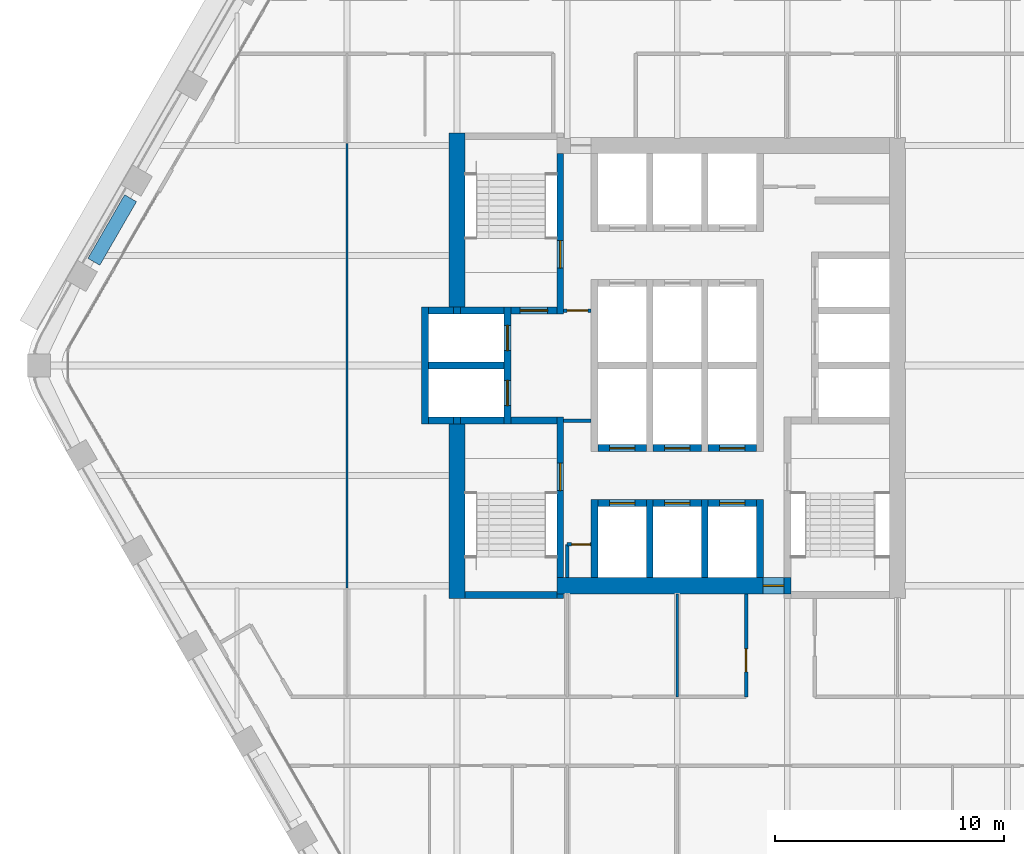
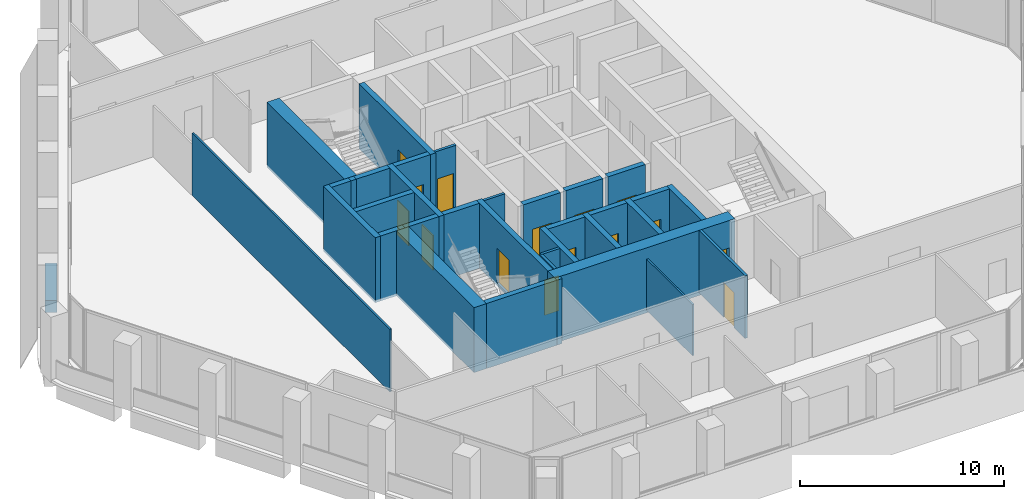
# One storey, part 9 of 15: 36 walls, 15 doors, 15 openings.
"""IFC4 building model written with IfcOpenShell, lengths in metres."""

from ifc_helpers import new_model, si_unit, direction, frame, frame_2d, origin, place, context, subcontext, project, spatial, rectangle, extrude, material, layer, layer_set, type_object, element, fill, save


model = new_model("IFC4")

# Units and contexts
model_context = context("Model", 3, precision=1e-05, world=origin(), true_north=direction((0.0, 1.0)))
body_context = subcontext(model_context, "Body", "Model", "MODEL_VIEW")
ifc_project = project(units=[si_unit("LENGTHUNIT", "METRE"), si_unit("AREAUNIT", "SQUARE_METRE"), si_unit("VOLUMEUNIT", "CUBIC_METRE"), si_unit("PLANEANGLEUNIT", "RADIAN"), si_unit("MASSUNIT", "GRAM", prefix="KILO")], contexts=[model_context])

# Site, building, storey
site_placement = place(None, origin())
site = spatial("IfcSite", under=ifc_project, at=site_placement, CompositionType="ELEMENT")
building_placement = place(site_placement, origin())
building = spatial("IfcBuilding", under=site, at=building_placement, Name="Kolab Exchange Tower", CompositionType="ELEMENT")
storey_placement = place(building_placement, frame((0.0, 0.0, 201.199951171875)))
storey = spatial("IfcBuildingStorey", under=building, at=storey_placement, Name="L43", CompositionType="ELEMENT", Elevation=201.199951171875)

# Wall, opening, door
ifc_material_1 = material(Name="Concrete C60/75", Category="concrete")
ifc_layer_1 = layer(ifc_material_1, 0.699951171875)
ifc_layer_set_1 = layer_set([ifc_layer_1], Name="Concrete C60/75")
wall_type_1 = type_object("IfcWallType", Name="CORE WALL 700 C60/75", PredefinedType="SHEAR", material=ifc_layer_set_1)
wall_1_placement = place(storey_placement, frame((-5.25, -9.60009765625, -0.14990234375), z_axis=(0.0, 0.0, 1.0), x_axis=(1.0, 0.0, 0.0)))
wall_1 = element("IfcWall", 1, at=wall_1_placement, inside=storey, type_object=wall_type_1, Name="wall/L43/core/002", PredefinedType="SHEAR", context=body_context, shape_type="SweptSolid", body=[
    extrude(rectangle(XDim=10.199951171875, YDim=0.699951171875, at=frame_2d((5.10009765625, 0.0))), origin(), (0.0, 0.0, 1.0), 3.89990234375),
])
opening_1_placement = place(wall_1_placement, frame((9.0, 0.0, 0.14990234375)))
opening_1 = element("IfcOpeningElement", 2, at=opening_1_placement, cuts=wall_1, Name="Opening D6-287", PredefinedType="OPENING", context=body_context, shape_type="SweptSolid", body=[
    extrude(rectangle(XDim=0.89990234375, YDim=2.10009765625, at=frame_2d((0.449951171875, 1.050048828125))), frame((0.0, 0.35986328125, 0.0), z_axis=(0.0, -1.0, 0.0), x_axis=(1.0, 0.0, 0.0)), (0.0, 0.0, 1.0), 0.719970703125),
])
ifc_material_2 = material(Name="Steel S235", Category="steel")
door_type_1 = type_object("IfcDoorType", Name="CORE DOOR 900 EI 120", OperationType="SINGLE_SWING_LEFT", PredefinedType="DOOR", material=ifc_material_2)
door_1_placement = place(opening_1_placement, origin())
door_1 = element("IfcDoor", 3, at=door_1_placement, inside=storey, type_object=door_type_1, Name="Core lobby door", OperationType="SINGLE_SWING_LEFT", OverallHeight=2.10009765625, OverallWidth=0.89990234375, PredefinedType="DOOR", context=body_context, shape_type="SweptSolid", body=[
    extrude(rectangle(XDim=0.89990234375, YDim=2.10009765625, at=frame_2d((0.449951171875, 1.050048828125))), frame((0.0, 0.02490234375, 0.0), z_axis=(0.0, -1.0, 0.0), x_axis=(1.0, 0.0, 0.0)), (0.0, 0.0, 1.0), 0.050048828125),
])
fill(opening_1, door_1)

# Walls
for number, where, z_axis, x_axis, name in (
    (4, (-9.60009765625, -10.14990234375, -0.14990234375), (0.0, 0.0, 1.0), (0.0, 1.0, 0.0), "wall/L43/core/034"),
    (5, (-9.60009765625, 2.550048828125, -0.14990234375), (0.0, 0.0, 1.0), (0.0, 1.0, 0.0), "wall/L43/core/037"),
):
    element("IfcWall", number, at=place(storey_placement, frame(where, z_axis=z_axis, x_axis=x_axis)), inside=storey, type_object=wall_type_1, Name=name, PredefinedType="SHEAR", context=body_context, shape_type="SweptSolid", body=[
        extrude(rectangle(XDim=7.599853515625, YDim=0.699951171875, at=frame_2d((3.7998046875, 0.0))), origin(), (0.0, 0.0, 1.0), 3.89990234375),
    ])

# Wall, opening, door
ifc_material_3 = material(Name="Concrete C50/60", Category="concrete")
ifc_layer_2 = layer(ifc_material_3, 0.300048828125)
ifc_layer_set_2 = layer_set([ifc_layer_2], Name="Concrete C50/60")
wall_type_2 = type_object("IfcWallType", Name="LIFT SHAFT WALL 300 C50/60", PredefinedType="STANDARD", material=ifc_layer_set_2)
wall_2_placement = place(storey_placement, frame((-3.449951171875, -6.0, -0.14990234375), z_axis=(0.0, 0.0, 1.0), x_axis=(1.0, 0.0, 0.0)))
wall_2 = element("IfcWall", 6, at=wall_2_placement, inside=storey, type_object=wall_type_2, Name="wall/L43/core/003", PredefinedType="STANDARD", context=body_context, shape_type="SweptSolid", body=[
    extrude(rectangle(XDim=2.099853515625, YDim=0.300048828125, at=frame_2d((1.0498046875, 0.0))), origin(), (0.0, 0.0, 1.0), 3.89990234375),
])
opening_2_placement = place(wall_2_placement, frame((0.5, 0.0, 0.14990234375)))
opening_2 = element("IfcOpeningElement", 7, at=opening_2_placement, cuts=wall_2, Name="Opening LD1-110", PredefinedType="OPENING", context=body_context, shape_type="SweptSolid", body=[
    extrude(rectangle(XDim=1.10009765625, YDim=2.10009765625, at=frame_2d((0.550048828125, 1.050048828125))), frame((0.0, 0.16015625, 0.0), z_axis=(0.0, -1.0, 0.0), x_axis=(1.0, 0.0, 0.0)), (0.0, 0.0, 1.0), 0.320068359375),
])
ifc_material_4 = material(Name="Stainless steel 316", Category="steel")
door_type_2 = type_object("IfcDoorType", Name="LANDING DOOR 1100 PASSENGER", OperationType="DOUBLE_DOOR_SLIDING", PredefinedType="DOOR", material=ifc_material_4)
door_2_placement = place(opening_2_placement, origin())
door_2 = element("IfcDoor", 8, at=door_2_placement, inside=storey, type_object=door_type_2, Name="Landing door HR10", OperationType="DOUBLE_DOOR_SLIDING", OverallHeight=2.10009765625, OverallWidth=1.10009765625, PredefinedType="DOOR", context=body_context, shape_type="SweptSolid", body=[
    extrude(rectangle(XDim=1.10009765625, YDim=2.10009765625, at=frame_2d((0.550048828125, 1.050048828125))), frame((0.0, 0.02490234375, 0.0), z_axis=(0.0, -1.0, 0.0), x_axis=(1.0, 0.0, 0.0)), (0.0, 0.0, 1.0), 0.050048828125),
])
fill(opening_2, door_2)

wall_3_placement = place(storey_placement, frame((-1.050048828125, -6.0, -0.14990234375), z_axis=(0.0, 0.0, 1.0), x_axis=(1.0, 0.0, 0.0)))
wall_3 = element("IfcWall", 9, at=wall_3_placement, inside=storey, type_object=wall_type_2, Name="wall/L43/core/004", PredefinedType="STANDARD", context=body_context, shape_type="SweptSolid", body=[
    extrude(rectangle(XDim=2.10009765625, YDim=0.300048828125, at=frame_2d((1.050048828125, 0.0))), origin(), (0.0, 0.0, 1.0), 3.89990234375),
])
opening_3_placement = place(wall_3_placement, frame((0.5, 0.0, 0.14990234375)))
opening_3 = element("IfcOpeningElement", 10, at=opening_3_placement, cuts=wall_3, Name="Opening LD1-111", PredefinedType="OPENING", context=body_context, shape_type="SweptSolid", body=[
    extrude(rectangle(XDim=1.10009765625, YDim=2.10009765625, at=frame_2d((0.550048828125, 1.050048828125))), frame((0.0, 0.16015625, 0.0), z_axis=(0.0, -1.0, 0.0), x_axis=(1.0, 0.0, 0.0)), (0.0, 0.0, 1.0), 0.320068359375),
])
door_3_placement = place(opening_3_placement, origin())
door_3 = element("IfcDoor", 11, at=door_3_placement, inside=storey, type_object=door_type_2, Name="Landing door HR11", OperationType="DOUBLE_DOOR_SLIDING", OverallHeight=2.10009765625, OverallWidth=1.10009765625, PredefinedType="DOOR", context=body_context, shape_type="SweptSolid", body=[
    extrude(rectangle(XDim=1.10009765625, YDim=2.10009765625, at=frame_2d((0.550048828125, 1.050048828125))), frame((0.0, 0.02490234375, 0.0), z_axis=(0.0, -1.0, 0.0), x_axis=(1.0, 0.0, 0.0)), (0.0, 0.0, 1.0), 0.050048828125),
])
fill(opening_3, door_3)

wall_4_placement = place(storey_placement, frame((1.35009765625, -6.0, -0.14990234375), z_axis=(0.0, 0.0, 1.0), x_axis=(1.0, 0.0, 0.0)))
wall_4 = element("IfcWall", 12, at=wall_4_placement, inside=storey, type_object=wall_type_2, Name="wall/L43/core/005", PredefinedType="STANDARD", context=body_context, shape_type="SweptSolid", body=[
    extrude(rectangle(XDim=2.099853515625, YDim=0.300048828125, at=frame_2d((1.0498046875, 0.0))), origin(), (0.0, 0.0, 1.0), 3.89990234375),
])
opening_4_placement = place(wall_4_placement, frame((0.5, 0.0, 0.14990234375)))
opening_4 = element("IfcOpeningElement", 13, at=opening_4_placement, cuts=wall_4, Name="Opening LD1-112", PredefinedType="OPENING", context=body_context, shape_type="SweptSolid", body=[
    extrude(rectangle(XDim=1.10009765625, YDim=2.10009765625, at=frame_2d((0.550048828125, 1.050048828125))), frame((0.0, 0.16015625, 0.0), z_axis=(0.0, -1.0, 0.0), x_axis=(1.0, 0.0, 0.0)), (0.0, 0.0, 1.0), 0.320068359375),
])
door_4_placement = place(opening_4_placement, origin())
door_4 = element("IfcDoor", 14, at=door_4_placement, inside=storey, type_object=door_type_2, Name="Landing door HR12", OperationType="DOUBLE_DOOR_SLIDING", OverallHeight=2.10009765625, OverallWidth=1.10009765625, PredefinedType="DOOR", context=body_context, shape_type="SweptSolid", body=[
    extrude(rectangle(XDim=1.10009765625, YDim=2.10009765625, at=frame_2d((0.550048828125, 1.050048828125))), frame((0.0, 0.02490234375, 0.0), z_axis=(0.0, -1.0, 0.0), x_axis=(1.0, 0.0, 0.0)), (0.0, 0.0, 1.0), 0.050048828125),
])
fill(opening_4, door_4)

wall_5_placement = place(storey_placement, frame((-3.449951171875, -3.60009765625, -0.14990234375), z_axis=(0.0, 0.0, 1.0), x_axis=(1.0, 0.0, 0.0)))
wall_5 = element("IfcWall", 15, at=wall_5_placement, inside=storey, type_object=wall_type_2, Name="wall/L43/core/006", PredefinedType="STANDARD", context=body_context, shape_type="SweptSolid", body=[
    extrude(rectangle(XDim=2.099853515625, YDim=0.300048828125, at=frame_2d((1.0498046875, 0.0))), origin(), (0.0, 0.0, 1.0), 3.89990234375),
])
opening_5_placement = place(wall_5_placement, frame((0.5, 0.0, 0.14990234375)))
opening_5 = element("IfcOpeningElement", 16, at=opening_5_placement, cuts=wall_5, Name="Opening LD1-118", PredefinedType="OPENING", context=body_context, shape_type="SweptSolid", body=[
    extrude(rectangle(XDim=1.10009765625, YDim=2.10009765625, at=frame_2d((0.550048828125, 1.050048828125))), frame((0.0, 0.16015625, 0.0), z_axis=(0.0, -1.0, 0.0), x_axis=(1.0, 0.0, 0.0)), (0.0, 0.0, 1.0), 0.320068359375),
])
door_5_placement = place(opening_5_placement, origin())
door_5 = element("IfcDoor", 17, at=door_5_placement, inside=storey, type_object=door_type_2, Name="Landing door HR7", OperationType="DOUBLE_DOOR_SLIDING", OverallHeight=2.10009765625, OverallWidth=1.10009765625, PredefinedType="DOOR", context=body_context, shape_type="SweptSolid", body=[
    extrude(rectangle(XDim=1.10009765625, YDim=2.10009765625, at=frame_2d((0.550048828125, 1.050048828125))), frame((0.0, 0.02490234375, 0.0), z_axis=(0.0, -1.0, 0.0), x_axis=(1.0, 0.0, 0.0)), (0.0, 0.0, 1.0), 0.050048828125),
])
fill(opening_5, door_5)

wall_6_placement = place(storey_placement, frame((-1.050048828125, -3.60009765625, -0.14990234375), z_axis=(0.0, 0.0, 1.0), x_axis=(1.0, 0.0, 0.0)))
wall_6 = element("IfcWall", 18, at=wall_6_placement, inside=storey, type_object=wall_type_2, Name="wall/L43/core/007", PredefinedType="STANDARD", context=body_context, shape_type="SweptSolid", body=[
    extrude(rectangle(XDim=2.10009765625, YDim=0.300048828125, at=frame_2d((1.050048828125, 0.0))), origin(), (0.0, 0.0, 1.0), 3.89990234375),
])
opening_6_placement = place(wall_6_placement, frame((0.5, 0.0, 0.14990234375)))
opening_6 = element("IfcOpeningElement", 19, at=opening_6_placement, cuts=wall_6, Name="Opening LD1-119", PredefinedType="OPENING", context=body_context, shape_type="SweptSolid", body=[
    extrude(rectangle(XDim=1.10009765625, YDim=2.10009765625, at=frame_2d((0.550048828125, 1.050048828125))), frame((0.0, 0.16015625, 0.0), z_axis=(0.0, -1.0, 0.0), x_axis=(1.0, 0.0, 0.0)), (0.0, 0.0, 1.0), 0.320068359375),
])
door_6_placement = place(opening_6_placement, origin())
door_6 = element("IfcDoor", 20, at=door_6_placement, inside=storey, type_object=door_type_2, Name="Landing door HR8", OperationType="DOUBLE_DOOR_SLIDING", OverallHeight=2.10009765625, OverallWidth=1.10009765625, PredefinedType="DOOR", context=body_context, shape_type="SweptSolid", body=[
    extrude(rectangle(XDim=1.10009765625, YDim=2.10009765625, at=frame_2d((0.550048828125, 1.050048828125))), frame((0.0, 0.02490234375, 0.0), z_axis=(0.0, -1.0, 0.0), x_axis=(1.0, 0.0, 0.0)), (0.0, 0.0, 1.0), 0.050048828125),
])
fill(opening_6, door_6)

wall_7_placement = place(storey_placement, frame((1.35009765625, -3.60009765625, -0.14990234375), z_axis=(0.0, 0.0, 1.0), x_axis=(1.0, 0.0, 0.0)))
wall_7 = element("IfcWall", 21, at=wall_7_placement, inside=storey, type_object=wall_type_2, Name="wall/L43/core/008", PredefinedType="STANDARD", context=body_context, shape_type="SweptSolid", body=[
    extrude(rectangle(XDim=2.099853515625, YDim=0.300048828125, at=frame_2d((1.0498046875, 0.0))), origin(), (0.0, 0.0, 1.0), 3.89990234375),
])
opening_7_placement = place(wall_7_placement, frame((0.5, 0.0, 0.14990234375)))
opening_7 = element("IfcOpeningElement", 22, at=opening_7_placement, cuts=wall_7, Name="Opening LD1-120", PredefinedType="OPENING", context=body_context, shape_type="SweptSolid", body=[
    extrude(rectangle(XDim=1.10009765625, YDim=2.10009765625, at=frame_2d((0.550048828125, 1.050048828125))), frame((0.0, 0.16015625, 0.0), z_axis=(0.0, -1.0, 0.0), x_axis=(1.0, 0.0, 0.0)), (0.0, 0.0, 1.0), 0.320068359375),
])
door_7_placement = place(opening_7_placement, origin())
door_7 = element("IfcDoor", 23, at=door_7_placement, inside=storey, type_object=door_type_2, Name="Landing door HR9", OperationType="DOUBLE_DOOR_SLIDING", OverallHeight=2.10009765625, OverallWidth=1.10009765625, PredefinedType="DOOR", context=body_context, shape_type="SweptSolid", body=[
    extrude(rectangle(XDim=1.10009765625, YDim=2.10009765625, at=frame_2d((0.550048828125, 1.050048828125))), frame((0.0, 0.02490234375, 0.0), z_axis=(0.0, -1.0, 0.0), x_axis=(1.0, 0.0, 0.0)), (0.0, 0.0, 1.0), 0.050048828125),
])
fill(opening_7, door_7)

# Walls
wall_8_placement = place(storey_placement, frame((-10.85009765625, -2.39990234375, -0.14990234375), z_axis=(0.0, 0.0, 1.0), x_axis=(1.0, 0.0, 0.0)))
element("IfcWall", 24, at=wall_8_placement, inside=storey, type_object=wall_type_2, Name="wall/L43/core/009", PredefinedType="STANDARD", context=body_context, shape_type="SweptSolid", body=[
    extrude(rectangle(XDim=1.10009765625, YDim=0.300048828125, at=frame_2d((0.550048828125, 0.0))), origin(), (0.0, 0.0, 1.0), 3.89990234375),
])
wall_9_placement = place(storey_placement, frame((-10.85009765625, 0.0, -0.14990234375), z_axis=(0.0, 0.0, 1.0), x_axis=(1.0, 0.0, 0.0)))
element("IfcWall", 25, at=wall_9_placement, inside=storey, type_object=wall_type_2, Name="wall/L43/core/014", PredefinedType="STANDARD", context=body_context, shape_type="SweptSolid", body=[
    extrude(rectangle(XDim=3.300048828125, YDim=0.300048828125, at=frame_2d((1.64990234375, 0.0))), origin(), (0.0, 0.0, 1.0), 3.89990234375),
])
wall_10_placement = place(storey_placement, frame((-10.85009765625, 2.39990234375, -0.14990234375), z_axis=(0.0, 0.0, 1.0), x_axis=(1.0, 0.0, 0.0)))
element("IfcWall", 26, at=wall_10_placement, inside=storey, type_object=wall_type_2, Name="wall/L43/core/019", PredefinedType="STANDARD", context=body_context, shape_type="SweptSolid", body=[
    extrude(rectangle(XDim=1.10009765625, YDim=0.300048828125, at=frame_2d((0.550048828125, 0.0))), origin(), (0.0, 0.0, 1.0), 3.89990234375),
])
wall_11_placement = place(storey_placement, frame((-11.0, -2.550048828125, -0.14990234375), z_axis=(0.0, 0.0, 1.0), x_axis=(0.0, 1.0, 0.0)))
element("IfcWall", 27, at=wall_11_placement, inside=storey, type_object=wall_type_2, Name="wall/L43/core/033", PredefinedType="STANDARD", context=body_context, shape_type="SweptSolid", body=[
    extrude(rectangle(XDim=5.10009765625, YDim=0.300048828125, at=frame_2d((2.550048828125, 0.0))), origin(), (0.0, 0.0, 1.0), 3.89990234375),
])

# Wall, openings, doors
wall_12_placement = place(storey_placement, frame((-7.39990234375, -2.550048828125, -0.14990234375), z_axis=(0.0, 0.0, 1.0), x_axis=(0.0, 1.0, 0.0)))
wall_12 = element("IfcWall", 28, at=wall_12_placement, inside=storey, type_object=wall_type_2, Name="wall/L43/core/038", PredefinedType="STANDARD", context=body_context, shape_type="SweptSolid", body=[
    extrude(rectangle(XDim=5.10009765625, YDim=0.300048828125, at=frame_2d((2.550048828125, 0.0))), origin(), (0.0, 0.0, 1.0), 3.89990234375),
])
opening_8_placement = place(wall_12_placement, frame((0.800048828125, 0.0, 0.14990234375)))
opening_8 = element("IfcOpeningElement", 29, at=opening_8_placement, cuts=wall_12, Name="Opening LD2-025", PredefinedType="OPENING", context=body_context, shape_type="SweptSolid", body=[
    extrude(rectangle(XDim=1.10009765625, YDim=2.10009765625, at=frame_2d((0.550048828125, 1.050048828125))), frame((0.0, 0.16015625, 0.0), z_axis=(0.0, -1.0, 0.0), x_axis=(1.0, 0.0, 0.0)), (0.0, 0.0, 1.0), 0.320068359375),
])
opening_9_placement = place(wall_12_placement, frame((3.199951171875, 0.0, 0.14990234375)))
opening_9 = element("IfcOpeningElement", 30, at=opening_9_placement, cuts=wall_12, Name="Opening LD2-026", PredefinedType="OPENING", context=body_context, shape_type="SweptSolid", body=[
    extrude(rectangle(XDim=1.10009765625, YDim=2.10009765625, at=frame_2d((0.550048828125, 1.050048828125))), frame((0.0, 0.16015625, 0.0), z_axis=(0.0, -1.0, 0.0), x_axis=(1.0, 0.0, 0.0)), (0.0, 0.0, 1.0), 0.320068359375),
])
door_type_3 = type_object("IfcDoorType", Name="LANDING DOOR 1100 FIREFIGHTING", OperationType="DOUBLE_DOOR_SLIDING", PredefinedType="DOOR", material=ifc_material_4)
door_8_placement = place(opening_8_placement, origin())
door_8 = element("IfcDoor", 31, at=door_8_placement, inside=storey, type_object=door_type_3, Name="Landing door FF1", OperationType="DOUBLE_DOOR_SLIDING", OverallHeight=2.10009765625, OverallWidth=1.10009765625, PredefinedType="DOOR", context=body_context, shape_type="SweptSolid", body=[
    extrude(rectangle(XDim=1.10009765625, YDim=2.10009765625, at=frame_2d((0.550048828125, 1.050048828125))), frame((0.0, 0.02490234375, 0.0), z_axis=(0.0, -1.0, 0.0), x_axis=(1.0, 0.0, 0.0)), (0.0, 0.0, 1.0), 0.050048828125),
])
fill(opening_8, door_8)
door_9_placement = place(opening_9_placement, origin())
door_9 = element("IfcDoor", 32, at=door_9_placement, inside=storey, type_object=door_type_3, Name="Landing door FF2", OperationType="DOUBLE_DOOR_SLIDING", OverallHeight=2.10009765625, OverallWidth=1.10009765625, PredefinedType="DOOR", context=body_context, shape_type="SweptSolid", body=[
    extrude(rectangle(XDim=1.10009765625, YDim=2.10009765625, at=frame_2d((0.550048828125, 1.050048828125))), frame((0.0, 0.02490234375, 0.0), z_axis=(0.0, -1.0, 0.0), x_axis=(1.0, 0.0, 0.0)), (0.0, 0.0, 1.0), 0.050048828125),
])
fill(opening_9, door_9)

# Walls
for number, where, z_axis, x_axis, name in (
    (33, (-3.60009765625, -9.25, -0.14990234375), (0.0, 0.0, 1.0), (0.0, 1.0, 0.0), "wall/L43/core/043"),
    (34, (-1.199951171875, -9.25, -0.14990234375), (0.0, 0.0, 1.0), (0.0, 1.0, 0.0), "wall/L43/core/046"),
    (35, (1.199951171875, -9.25, -0.14990234375), (0.0, 0.0, 1.0), (0.0, 1.0, 0.0), "wall/L43/core/049"),
    (36, (3.60009765625, -9.25, -0.14990234375), (0.0, 0.0, 1.0), (0.0, 1.0, 0.0), "wall/L43/core/052"),
):
    element("IfcWall", number, at=place(storey_placement, frame(where, z_axis=z_axis, x_axis=x_axis)), inside=storey, type_object=wall_type_2, Name=name, PredefinedType="STANDARD", context=body_context, shape_type="SweptSolid", body=[
        extrude(rectangle(XDim=3.39990234375, YDim=0.300048828125, at=frame_2d((1.699951171875, 0.0))), origin(), (0.0, 0.0, 1.0), 3.89990234375),
    ])
ifc_material_5 = material(Name="Gypsum board", Category="gypsum")
ifc_layer_3 = layer(ifc_material_5, 0.10009765625)
ifc_layer_set_3 = layer_set([ifc_layer_3], Name="Gypsum board")
wall_type_3 = type_object("IfcWallType", Name="PARTITION 100", PredefinedType="PARTITIONING", material=ifc_layer_set_3)
wall_13_placement = place(storey_placement, frame((0.0, -14.44140625, 0.0), z_axis=(0.0, 0.0, 1.0), x_axis=(0.0, 1.0, 0.0)))
element("IfcWall", 37, at=wall_13_placement, inside=storey, type_object=wall_type_3, Name="Partition 010", PredefinedType="PARTITIONING", context=body_context, shape_type="SweptSolid", body=[
    extrude(rectangle(XDim=4.491455078125, YDim=0.10009765625, at=frame_2d((2.24560546875, 0.0))), origin(), (0.0, 0.0, 1.0), 3.066162109375),
])
wall_14_placement = place(storey_placement, frame((-14.39990234375, -9.693603515625, 0.0), z_axis=(0.0, 0.0, 1.0), x_axis=(0.0, 1.0, 0.0)))
element("IfcWall", 38, at=wall_14_placement, inside=storey, type_object=wall_type_3, Name="Partition 022", PredefinedType="PARTITIONING", context=body_context, shape_type="SweptSolid", body=[
    extrude(rectangle(XDim=19.38720703125, YDim=0.10009765625, at=frame_2d((9.693603515625, 0.0))), origin(), (0.0, 0.0, 1.0), 3.75),
])

# Wall, opening, door
ifc_layer_4 = layer(ifc_material_5, 0.14990234375)
ifc_layer_set_4 = layer_set([ifc_layer_4], Name="Gypsum board")
wall_type_4 = type_object("IfcWallType", Name="PARTITION 150 FIRE-RATED", PredefinedType="PARTITIONING", material=ifc_layer_set_4)
wall_15_placement = place(storey_placement, frame((3.0, -14.44140625, 0.0), z_axis=(0.0, 0.0, 1.0), x_axis=(0.0, 1.0, 0.0)))
wall_15 = element("IfcWall", 39, at=wall_15_placement, inside=storey, type_object=wall_type_4, Name="Partition 008", PredefinedType="PARTITIONING", context=body_context, shape_type="SweptSolid", body=[
    extrude(rectangle(XDim=4.491455078125, YDim=0.14990234375, at=frame_2d((2.24560546875, 0.0))), origin(), (0.0, 0.0, 1.0), 3.75),
])
opening_10_placement = place(wall_15_placement, frame((1.08544921875, 0.0, 0.0)))
opening_10 = element("IfcOpeningElement", 40, at=opening_10_placement, cuts=wall_15, Name="Opening D1-571", PredefinedType="OPENING", context=body_context, shape_type="SweptSolid", body=[
    extrude(rectangle(XDim=1.0, YDim=2.10009765625, at=frame_2d((0.5, 1.050048828125))), frame((0.0, 0.0849609375, 0.0), z_axis=(0.0, -1.0, 0.0), x_axis=(1.0, 0.0, 0.0)), (0.0, 0.0, 1.0), 0.169921875),
])
door_type_4 = type_object("IfcDoorType", Name="FLUSH DOOR 1000 FD60", OperationType="SINGLE_SWING_LEFT", PredefinedType="DOOR", material=ifc_material_2)
door_10_placement = place(opening_10_placement, origin())
door_10 = element("IfcDoor", 41, at=door_10_placement, inside=storey, type_object=door_type_4, Name="Door L43-037", OperationType="SINGLE_SWING_LEFT", OverallHeight=2.10009765625, OverallWidth=1.0, PredefinedType="DOOR", context=body_context, shape_type="SweptSolid", body=[
    extrude(rectangle(XDim=1.0, YDim=2.10009765625, at=frame_2d((0.5, 1.050048828125))), frame((0.0, 0.02490234375, 0.0), z_axis=(0.0, -1.0, 0.0), x_axis=(1.0, 0.0, 0.0)), (0.0, 0.0, 1.0), 0.050048828125),
])
fill(opening_10, door_10)

# Wall
wall_16_placement = place(storey_placement, frame((-4.800048828125, -9.25, 0.0), z_axis=(0.0, 0.0, 1.0), x_axis=(0.0, 1.0, 0.0)))
element("IfcWall", 42, at=wall_16_placement, inside=storey, type_object=wall_type_4, Name="Partition 015", PredefinedType="PARTITIONING", context=body_context, shape_type="SweptSolid", body=[
    extrude(rectangle(XDim=1.449951171875, YDim=0.14990234375, at=frame_2d((0.72509765625, 0.0))), origin(), (0.0, 0.0, 1.0), 3.75),
])

# Wall, opening, door
wall_17_placement = place(storey_placement, frame((-4.800048828125, -7.800048828125, 0.0), z_axis=(0.0, 0.0, 1.0), x_axis=(1.0, 0.0, 0.0)))
wall_17 = element("IfcWall", 43, at=wall_17_placement, inside=storey, type_object=wall_type_4, Name="Partition 032", PredefinedType="PARTITIONING", context=body_context, shape_type="SweptSolid", body=[
    extrude(rectangle(XDim=1.050048828125, YDim=0.14990234375, at=frame_2d((0.52490234375, 0.0))), origin(), (0.0, 0.0, 1.0), 3.75),
])
opening_11_placement = place(wall_17_placement, frame((0.199951171875, 0.0, 0.0)))
opening_11 = element("IfcOpeningElement", 44, at=opening_11_placement, cuts=wall_17, Name="Opening D7-031", PredefinedType="OPENING", context=body_context, shape_type="SweptSolid", body=[
    extrude(rectangle(XDim=0.800048828125, YDim=2.10009765625, at=frame_2d((0.39990234375, 1.050048828125))), frame((0.0, 0.0849609375, 0.0), z_axis=(0.0, -1.0, 0.0), x_axis=(1.0, 0.0, 0.0)), (0.0, 0.0, 1.0), 0.169921875),
])
door_type_5 = type_object("IfcDoorType", Name="FLUSH DOOR 800 FD60", OperationType="SINGLE_SWING_LEFT", PredefinedType="DOOR", material=ifc_material_2)
door_11_placement = place(opening_11_placement, frame((0.800048828125, 0.0, 0.0), z_axis=(0.0, 0.0, 1.0), x_axis=(-1.0, 0.0, 0.0)))
door_11 = element("IfcDoor", 45, at=door_11_placement, inside=storey, type_object=door_type_5, Name="Door L43-024", OperationType="SINGLE_SWING_RIGHT", OverallHeight=2.10009765625, OverallWidth=0.800048828125, PredefinedType="DOOR", context=body_context, shape_type="SweptSolid", body=[
    extrude(rectangle(XDim=0.800048828125, YDim=2.10009765625, at=frame_2d((0.39990234375, 1.050048828125))), frame((0.0, 0.02490234375, 0.0), z_axis=(0.0, -1.0, 0.0), x_axis=(1.0, 0.0, 0.0)), (0.0, 0.0, 1.0), 0.050048828125),
])
fill(opening_11, door_11)

wall_18_placement = place(storey_placement, frame((-4.949951171875, 2.39990234375, 0.0), z_axis=(0.0, 0.0, 1.0), x_axis=(1.0, 0.0, 0.0)))
wall_18 = element("IfcWall", 46, at=wall_18_placement, inside=storey, type_object=wall_type_4, Name="Fire partition", PredefinedType="PARTITIONING", context=body_context, shape_type="SweptSolid", body=[
    extrude(rectangle(XDim=1.199951171875, YDim=0.14990234375, at=frame_2d((0.60009765625, 0.0))), origin(), (0.0, 0.0, 1.0), 3.75),
])
opening_12_placement = place(wall_18_placement, frame((0.14990234375, 0.0, 0.0)))
opening_12 = element("IfcOpeningElement", 47, at=opening_12_placement, cuts=wall_18, Name="Opening D6-288", PredefinedType="OPENING", context=body_context, shape_type="SweptSolid", body=[
    extrude(rectangle(XDim=0.89990234375, YDim=2.10009765625, at=frame_2d((0.449951171875, 1.050048828125))), frame((0.0, 0.0849609375, 0.0), z_axis=(0.0, -1.0, 0.0), x_axis=(1.0, 0.0, 0.0)), (0.0, 0.0, 1.0), 0.169921875),
])
door_12_placement = place(opening_12_placement, frame((0.89990234375, 0.0, 0.0), z_axis=(0.0, 0.0, 1.0), x_axis=(-1.0, 0.0, 0.0)))
door_12 = element("IfcDoor", 48, at=door_12_placement, inside=storey, type_object=door_type_1, Name="Firefighting lobby door", OperationType="SINGLE_SWING_RIGHT", OverallHeight=2.10009765625, OverallWidth=0.89990234375, PredefinedType="DOOR", context=body_context, shape_type="SweptSolid", body=[
    extrude(rectangle(XDim=0.89990234375, YDim=2.10009765625, at=frame_2d((0.449951171875, 1.050048828125))), frame((0.0, 0.02490234375, 0.0), z_axis=(0.0, -1.0, 0.0), x_axis=(1.0, 0.0, 0.0)), (0.0, 0.0, 1.0), 0.050048828125),
])
fill(opening_12, door_12)

# Walls
wall_19_placement = place(storey_placement, frame((-4.949951171875, -2.39990234375, 0.0), z_axis=(0.0, 0.0, 1.0), x_axis=(1.0, 0.0, 0.0)))
element("IfcWall", 49, at=wall_19_placement, inside=storey, type_object=wall_type_4, Name="Fire partition", PredefinedType="PARTITIONING", context=body_context, shape_type="SweptSolid", body=[
    extrude(rectangle(XDim=1.199951171875, YDim=0.14990234375, at=frame_2d((0.60009765625, 0.0))), origin(), (0.0, 0.0, 1.0), 3.75),
])
ifc_material_6 = material(Name="Granite facing", Category="masonry")
ifc_layer_5 = layer(ifc_material_6, 0.0400390625)
ifc_material_7 = material(Name="Concrete C40/50 precast", Category="concrete")
ifc_layer_6 = layer(ifc_material_7, 0.56005859375)
ifc_layer_set_5 = layer_set([ifc_layer_5, ifc_layer_6], Name="Concrete C40/50 precast")
wall_type_5 = type_object("IfcWallType", Name="PLANTER BOX 600 X 700 SOIL DEPTH 550", PredefinedType="USERDEFINED", material=ifc_layer_set_5)
wall_20_placement = place(storey_placement, frame((-25.43701171875, 4.524658203125, 0.0), z_axis=(0.0, 0.0, 1.0), x_axis=(0.499938187974, 0.866061088033, 0.0)))
element("IfcWall", 50, at=wall_20_placement, inside=storey, type_object=wall_type_5, Name="Planter", ObjectType="PLANTER", PredefinedType="USERDEFINED", context=body_context, shape_type="SweptSolid", body=[
    extrude(rectangle(XDim=3.2001953125, YDim=0.60009765625, at=frame_2d((1.60009765625, 0.0))), origin(), (0.0, 0.0, 1.0), 0.699951171875),
])
ifc_layer_7 = layer(ifc_material_3, 0.300048828125)
ifc_layer_set_6 = layer_set([ifc_layer_7], Name="Concrete C50/60")
wall_type_6 = type_object("IfcWallType", Name="STAIR ENCLOSURE WALL 300 C50/60", PredefinedType="STANDARD", material=ifc_layer_set_6)
wall_21_placement = place(storey_placement, frame((-9.25, -10.0, -0.14990234375), z_axis=(0.0, 0.0, 1.0), x_axis=(1.0, 0.0, 0.0)))
element("IfcWall", 51, at=wall_21_placement, inside=storey, type_object=wall_type_6, Name="wall/L43/core/000", PredefinedType="STANDARD", context=body_context, shape_type="SweptSolid", body=[
    extrude(rectangle(XDim=4.0, YDim=0.300048828125, at=frame_2d((2.0, 0.0))), origin(), (0.0, 0.0, 1.0), 3.89990234375),
])
wall_22_placement = place(storey_placement, frame((-9.449951171875, -2.39990234375, -0.14990234375), z_axis=(0.0, 0.0, 1.0), x_axis=(1.0, 0.0, 0.0)))
element("IfcWall", 52, at=wall_22_placement, inside=storey, type_object=wall_type_6, Name="wall/L43/core/010", PredefinedType="STANDARD", context=body_context, shape_type="SweptSolid", body=[
    extrude(rectangle(XDim=1.89990234375, YDim=0.300048828125, at=frame_2d((0.949951171875, 0.0))), origin(), (0.0, 0.0, 1.0), 3.89990234375),
])
wall_23_placement = place(storey_placement, frame((-7.25, -2.39990234375, -0.14990234375), z_axis=(0.0, 0.0, 1.0), x_axis=(1.0, 0.0, 0.0)))
element("IfcWall", 53, at=wall_23_placement, inside=storey, type_object=wall_type_6, Name="wall/L43/core/011", PredefinedType="STANDARD", context=body_context, shape_type="SweptSolid", body=[
    extrude(rectangle(XDim=2.0, YDim=0.300048828125, at=frame_2d((1.0, 0.0))), origin(), (0.0, 0.0, 1.0), 3.89990234375),
])
wall_24_placement = place(storey_placement, frame((-9.449951171875, 2.39990234375, -0.14990234375), z_axis=(0.0, 0.0, 1.0), x_axis=(1.0, 0.0, 0.0)))
element("IfcWall", 54, at=wall_24_placement, inside=storey, type_object=wall_type_6, Name="wall/L43/core/020", PredefinedType="STANDARD", context=body_context, shape_type="SweptSolid", body=[
    extrude(rectangle(XDim=1.89990234375, YDim=0.300048828125, at=frame_2d((0.949951171875, 0.0))), origin(), (0.0, 0.0, 1.0), 3.89990234375),
])

# Wall, opening, door
wall_25_placement = place(storey_placement, frame((-7.25, 2.39990234375, -0.14990234375), z_axis=(0.0, 0.0, 1.0), x_axis=(1.0, 0.0, 0.0)))
wall_25 = element("IfcWall", 55, at=wall_25_placement, inside=storey, type_object=wall_type_6, Name="wall/L43/core/021", PredefinedType="STANDARD", context=body_context, shape_type="SweptSolid", body=[
    extrude(rectangle(XDim=2.0, YDim=0.300048828125, at=frame_2d((1.0, 0.0))), origin(), (0.0, 0.0, 1.0), 3.89990234375),
])
opening_13_placement = place(wall_25_placement, frame((0.39990234375, 0.0, 0.14990234375)))
opening_13 = element("IfcOpeningElement", 56, at=opening_13_placement, cuts=wall_25, Name="Opening D4-065", PredefinedType="OPENING", context=body_context, shape_type="SweptSolid", body=[
    extrude(rectangle(XDim=1.199951171875, YDim=2.10009765625, at=frame_2d((0.60009765625, 1.050048828125))), frame((0.0, 0.16015625, 0.0), z_axis=(0.0, -1.0, 0.0), x_axis=(1.0, 0.0, 0.0)), (0.0, 0.0, 1.0), 0.320068359375),
])
door_type_6 = type_object("IfcDoorType", Name="STAIR DOOR 1200 EI 120", OperationType="SINGLE_SWING_LEFT", PredefinedType="DOOR", material=ifc_material_2)
door_13_placement = place(opening_13_placement, origin())
door_13 = element("IfcDoor", 57, at=door_13_placement, inside=storey, type_object=door_type_6, Name="Stair 1 door", OperationType="SINGLE_SWING_RIGHT", OverallHeight=2.10009765625, OverallWidth=1.199951171875, PredefinedType="DOOR", context=body_context, shape_type="SweptSolid", body=[
    extrude(rectangle(XDim=1.199951171875, YDim=2.10009765625, at=frame_2d((0.60009765625, 1.050048828125))), frame((0.0, 0.02490234375, 0.0), z_axis=(0.0, -1.0, 0.0), x_axis=(1.0, 0.0, 0.0)), (0.0, 0.0, 1.0), 0.050048828125),
])
fill(opening_13, door_13)

# Walls
for number, where, z_axis, x_axis, name in (
    (58, (-9.60009765625, -2.550048828125, -0.14990234375), (0.0, 0.0, 1.0), (0.0, 1.0, 0.0), "wall/L43/core/035"),
    (59, (-9.60009765625, 2.25, -0.14990234375), (0.0, 0.0, 1.0), (0.0, 1.0, 0.0), "wall/L43/core/036"),
):
    element("IfcWall", number, at=place(storey_placement, frame(where, z_axis=z_axis, x_axis=x_axis)), inside=storey, type_object=wall_type_6, Name=name, PredefinedType="STANDARD", context=body_context, shape_type="SweptSolid", body=[
        extrude(rectangle(XDim=0.300048828125, YDim=0.300048828125, at=frame_2d((0.14990234375, 0.0))), origin(), (0.0, 0.0, 1.0), 3.89990234375),
    ])
wall_26_placement = place(storey_placement, frame((-5.10009765625, -10.14990234375, -0.14990234375), z_axis=(0.0, 0.0, 1.0), x_axis=(0.0, 1.0, 0.0)))
element("IfcWall", 60, at=wall_26_placement, inside=storey, type_object=wall_type_6, Name="wall/L43/core/039", PredefinedType="STANDARD", context=body_context, shape_type="SweptSolid", body=[
    extrude(rectangle(XDim=0.199951171875, YDim=0.300048828125, at=frame_2d((0.10009765625, 0.0))), origin(), (0.0, 0.0, 1.0), 3.89990234375),
])

# Wall, opening, door
wall_27_placement = place(storey_placement, frame((-5.10009765625, -9.25, -0.14990234375), z_axis=(0.0, 0.0, 1.0), x_axis=(0.0, 1.0, 0.0)))
wall_27 = element("IfcWall", 61, at=wall_27_placement, inside=storey, type_object=wall_type_6, Name="wall/L43/core/040", PredefinedType="STANDARD", context=body_context, shape_type="SweptSolid", body=[
    extrude(rectangle(XDim=7.0, YDim=0.300048828125, at=frame_2d((3.5, 0.0))), origin(), (0.0, 0.0, 1.0), 3.89990234375),
])
opening_14_placement = place(wall_27_placement, frame((3.800048828125, 0.0, 0.14990234375)))
opening_14 = element("IfcOpeningElement", 62, at=opening_14_placement, cuts=wall_27, Name="Opening D4-068", PredefinedType="OPENING", context=body_context, shape_type="SweptSolid", body=[
    extrude(rectangle(XDim=1.199951171875, YDim=2.10009765625, at=frame_2d((0.60009765625, 1.050048828125))), frame((0.0, 0.16015625, 0.0), z_axis=(0.0, -1.0, 0.0), x_axis=(1.0, 0.0, 0.0)), (0.0, 0.0, 1.0), 0.320068359375),
])
door_14_placement = place(opening_14_placement, origin())
door_14 = element("IfcDoor", 63, at=door_14_placement, inside=storey, type_object=door_type_6, Name="Stair 3 door", OperationType="SINGLE_SWING_RIGHT", OverallHeight=2.10009765625, OverallWidth=1.199951171875, PredefinedType="DOOR", context=body_context, shape_type="SweptSolid", body=[
    extrude(rectangle(XDim=1.199951171875, YDim=2.10009765625, at=frame_2d((0.60009765625, 1.050048828125))), frame((0.0, 0.02490234375, 0.0), z_axis=(0.0, -1.0, 0.0), x_axis=(1.0, 0.0, 0.0)), (0.0, 0.0, 1.0), 0.050048828125),
])
fill(opening_14, door_14)

wall_28_placement = place(storey_placement, frame((-5.10009765625, 2.25, -0.14990234375), z_axis=(0.0, 0.0, 1.0), x_axis=(0.0, 1.0, 0.0)))
wall_28 = element("IfcWall", 64, at=wall_28_placement, inside=storey, type_object=wall_type_6, Name="wall/L43/core/041", PredefinedType="STANDARD", context=body_context, shape_type="SweptSolid", body=[
    extrude(rectangle(XDim=7.0, YDim=0.300048828125, at=frame_2d((3.5, 0.0))), origin(), (0.0, 0.0, 1.0), 3.89990234375),
])
opening_15_placement = place(wall_28_placement, frame((2.0, 0.0, 0.14990234375)))
opening_15 = element("IfcOpeningElement", 65, at=opening_15_placement, cuts=wall_28, Name="Opening D4-066", PredefinedType="OPENING", context=body_context, shape_type="SweptSolid", body=[
    extrude(rectangle(XDim=1.199951171875, YDim=2.10009765625, at=frame_2d((0.60009765625, 1.050048828125))), frame((0.0, 0.16015625, 0.0), z_axis=(0.0, -1.0, 0.0), x_axis=(1.0, 0.0, 0.0)), (0.0, 0.0, 1.0), 0.320068359375),
])
door_15_placement = place(opening_15_placement, origin())
door_15 = element("IfcDoor", 66, at=door_15_placement, inside=storey, type_object=door_type_6, Name="Stair 1 door", OperationType="SINGLE_SWING_LEFT", OverallHeight=2.10009765625, OverallWidth=1.199951171875, PredefinedType="DOOR", context=body_context, shape_type="SweptSolid", body=[
    extrude(rectangle(XDim=1.199951171875, YDim=2.10009765625, at=frame_2d((0.60009765625, 1.050048828125))), frame((0.0, 0.02490234375, 0.0), z_axis=(0.0, -1.0, 0.0), x_axis=(1.0, 0.0, 0.0)), (0.0, 0.0, 1.0), 0.050048828125),
])
fill(opening_15, door_15)

save(model, "model.ifc")
